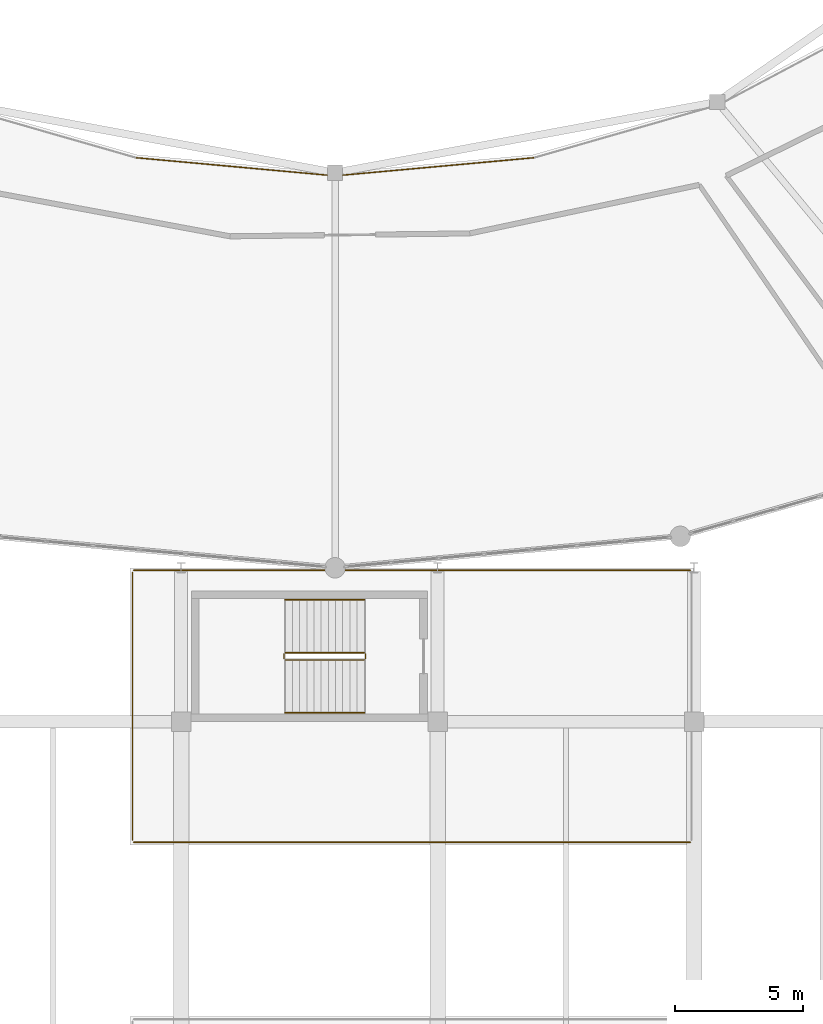
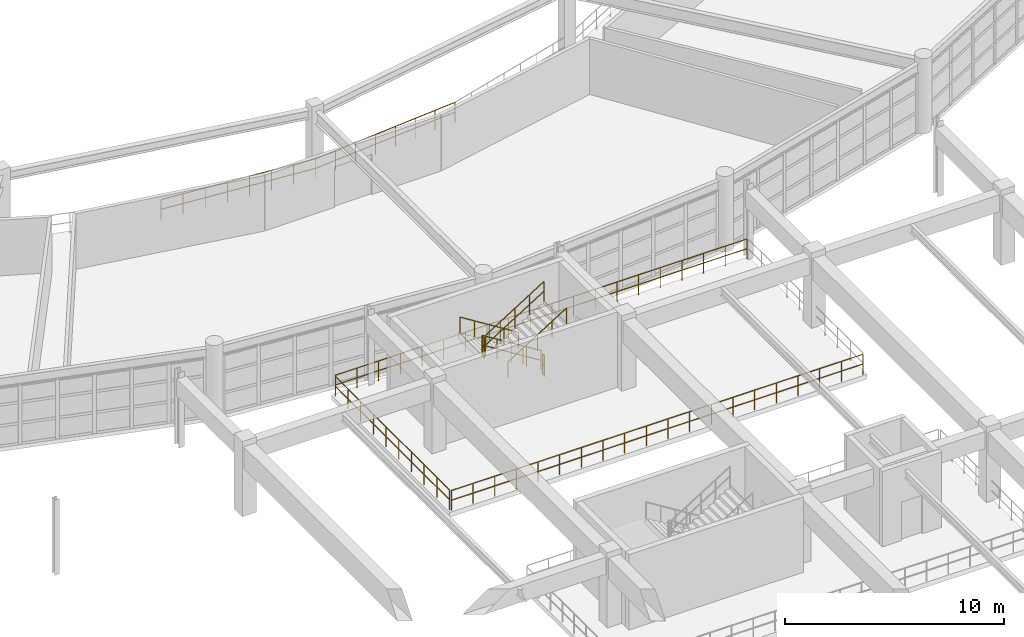
# One storey, part 88 of 100: 11 railings.
"""IFC4 building model written with IfcOpenShell, lengths in metres."""

from ifc_helpers import new_model, si_unit, direction, frame, origin, origin_2d, place, context, subcontext, project, spatial, circle, extrude, material, layer, layer_set, type_object, element, save


model = new_model("IFC4")

# Units and contexts
model_context = context("Model", 3, precision=1e-05, world=origin(), true_north=direction((0.0, 1.0)))
body_context = subcontext(model_context, "Body", "Model", "MODEL_VIEW")
ifc_project = project(units=[si_unit("LENGTHUNIT", "METRE"), si_unit("AREAUNIT", "SQUARE_METRE"), si_unit("VOLUMEUNIT", "CUBIC_METRE"), si_unit("PLANEANGLEUNIT", "RADIAN"), si_unit("MASSUNIT", "GRAM", prefix="KILO")], contexts=[model_context])

# Site, building, storey
site_placement = place(None, origin())
site = spatial("IfcSite", under=ifc_project, at=site_placement, CompositionType="ELEMENT")
building_placement = place(site_placement, origin())
building = spatial("IfcBuilding", under=site, at=building_placement, Name="Kivolera Central Railway Station", CompositionType="ELEMENT")
storey_placement = place(building_placement, frame((0.0, 0.0, 5.39990234375)))
storey = spatial("IfcBuildingStorey", under=building, at=storey_placement, Name="L01", CompositionType="ELEMENT", Elevation=5.39990234375)

# Railings
ifc_material = material(Name="Anodised aluminium", Category="aluminium")
ifc_layer_1 = layer(ifc_material, 0.048095703125, Name="Anodised aluminium")
ifc_layer_set_1 = layer_set([ifc_layer_1], Name="Anodised aluminium")
railing_type_1 = type_object("IfcRailingType", Name="RL-EXT-GUARD-1130", PredefinedType="GUARDRAIL", material=ifc_layer_set_1)
railing_1_placement = place(storey_placement, frame((56.14990234375, 43.300048828125, 0.0)))
element("IfcRailing", 1, at=railing_1_placement, inside=storey, type_object=railing_type_1, Name="L01 Protective Edge Guardrail POD3-S", PredefinedType="GUARDRAIL", context=body_context, shape_type="SweptSolid", body=[
    extrude(circle(Radius=0.02392578125, at=origin_2d()), frame((0.0, 0.0, 1.10595703125), z_axis=(1.0, 0.0, 0.0), x_axis=(0.0, 1.0, 0.0)), (0.0, 0.0, 1.0), 21.7001953125),
    extrude(circle(Radius=0.02392578125, at=origin_2d()), frame((0.0, 0.0, 0.56494140625), z_axis=(1.0, 0.0, 0.0), x_axis=(0.0, 1.0, 0.0)), (0.0, 0.0, 1.0), 21.7001953125),
    extrude(circle(Radius=0.02099609375, at=origin_2d()), origin(), (0.0, 0.0, 1.0), 1.081787109375),
    extrude(circle(Radius=0.02099609375, at=origin_2d()), frame((1.14208984375, 0.0, 0.0)), (0.0, 0.0, 1.0), 1.081787109375),
    extrude(circle(Radius=0.02099609375, at=origin_2d()), frame((2.2841796875, 0.0, 0.0)), (0.0, 0.0, 1.0), 1.081787109375),
    extrude(circle(Radius=0.02099609375, at=origin_2d()), frame((3.42626953125, 0.0, 0.0)), (0.0, 0.0, 1.0), 1.081787109375),
    extrude(circle(Radius=0.02099609375, at=origin_2d()), frame((4.568359375, 0.0, 0.0)), (0.0, 0.0, 1.0), 1.081787109375),
    extrude(circle(Radius=0.02099609375, at=origin_2d()), frame((5.710693359375, 0.0, 0.0)), (0.0, 0.0, 1.0), 1.081787109375),
    extrude(circle(Radius=0.02099609375, at=origin_2d()), frame((6.852783203125, 0.0, 0.0)), (0.0, 0.0, 1.0), 1.081787109375),
    extrude(circle(Radius=0.02099609375, at=origin_2d()), frame((7.994873046875, 0.0, 0.0)), (0.0, 0.0, 1.0), 1.081787109375),
    extrude(circle(Radius=0.02099609375, at=origin_2d()), frame((9.136962890625, 0.0, 0.0)), (0.0, 0.0, 1.0), 1.081787109375),
    extrude(circle(Radius=0.02099609375, at=origin_2d()), frame((10.279052734375, 0.0, 0.0)), (0.0, 0.0, 1.0), 1.081787109375),
    extrude(circle(Radius=0.02099609375, at=origin_2d()), frame((11.421142578125, 0.0, 0.0)), (0.0, 0.0, 1.0), 1.081787109375),
    extrude(circle(Radius=0.02099609375, at=origin_2d()), frame((12.563232421875, 0.0, 0.0)), (0.0, 0.0, 1.0), 1.081787109375),
    extrude(circle(Radius=0.02099609375, at=origin_2d()), frame((13.705322265625, 0.0, 0.0)), (0.0, 0.0, 1.0), 1.081787109375),
    extrude(circle(Radius=0.02099609375, at=origin_2d()), frame((14.847412109375, 0.0, 0.0)), (0.0, 0.0, 1.0), 1.081787109375),
    extrude(circle(Radius=0.02099609375, at=origin_2d()), frame((15.989501953125, 0.0, 0.0)), (0.0, 0.0, 1.0), 1.081787109375),
    extrude(circle(Radius=0.02099609375, at=origin_2d()), frame((17.1318359375, 0.0, 0.0)), (0.0, 0.0, 1.0), 1.081787109375),
    extrude(circle(Radius=0.02099609375, at=origin_2d()), frame((18.27392578125, 0.0, 0.0)), (0.0, 0.0, 1.0), 1.081787109375),
    extrude(circle(Radius=0.02099609375, at=origin_2d()), frame((19.416015625, 0.0, 0.0)), (0.0, 0.0, 1.0), 1.081787109375),
    extrude(circle(Radius=0.02099609375, at=origin_2d()), frame((20.55810546875, 0.0, 0.0)), (0.0, 0.0, 1.0), 1.081787109375),
    extrude(circle(Radius=0.02099609375, at=origin_2d()), frame((21.7001953125, 0.0, 0.0)), (0.0, 0.0, 1.0), 1.081787109375),
])
railing_2_placement = place(storey_placement, frame((56.14990234375, 53.89990234375, 0.0)))
element("IfcRailing", 2, at=railing_2_placement, inside=storey, type_object=railing_type_1, Name="L01 Protective Edge Guardrail POD3-N", PredefinedType="GUARDRAIL", context=body_context, shape_type="SweptSolid", body=[
    extrude(circle(Radius=0.02392578125, at=origin_2d()), frame((0.0, 0.0, 1.10595703125), z_axis=(1.0, 0.0, 0.0), x_axis=(0.0, 1.0, 0.0)), (0.0, 0.0, 1.0), 21.7001953125),
    extrude(circle(Radius=0.02392578125, at=origin_2d()), frame((0.0, 0.0, 0.56494140625), z_axis=(1.0, 0.0, 0.0), x_axis=(0.0, 1.0, 0.0)), (0.0, 0.0, 1.0), 21.7001953125),
    extrude(circle(Radius=0.02099609375, at=origin_2d()), origin(), (0.0, 0.0, 1.0), 1.081787109375),
    extrude(circle(Radius=0.02099609375, at=origin_2d()), frame((1.14208984375, 0.0, 0.0)), (0.0, 0.0, 1.0), 1.081787109375),
    extrude(circle(Radius=0.02099609375, at=origin_2d()), frame((2.2841796875, 0.0, 0.0)), (0.0, 0.0, 1.0), 1.081787109375),
    extrude(circle(Radius=0.02099609375, at=origin_2d()), frame((3.42626953125, 0.0, 0.0)), (0.0, 0.0, 1.0), 1.081787109375),
    extrude(circle(Radius=0.02099609375, at=origin_2d()), frame((4.568359375, 0.0, 0.0)), (0.0, 0.0, 1.0), 1.081787109375),
    extrude(circle(Radius=0.02099609375, at=origin_2d()), frame((5.710693359375, 0.0, 0.0)), (0.0, 0.0, 1.0), 1.081787109375),
    extrude(circle(Radius=0.02099609375, at=origin_2d()), frame((6.852783203125, 0.0, 0.0)), (0.0, 0.0, 1.0), 1.081787109375),
    extrude(circle(Radius=0.02099609375, at=origin_2d()), frame((7.994873046875, 0.0, 0.0)), (0.0, 0.0, 1.0), 1.081787109375),
    extrude(circle(Radius=0.02099609375, at=origin_2d()), frame((9.136962890625, 0.0, 0.0)), (0.0, 0.0, 1.0), 1.081787109375),
    extrude(circle(Radius=0.02099609375, at=origin_2d()), frame((10.279052734375, 0.0, 0.0)), (0.0, 0.0, 1.0), 1.081787109375),
    extrude(circle(Radius=0.02099609375, at=origin_2d()), frame((11.421142578125, 0.0, 0.0)), (0.0, 0.0, 1.0), 1.081787109375),
    extrude(circle(Radius=0.02099609375, at=origin_2d()), frame((12.563232421875, 0.0, 0.0)), (0.0, 0.0, 1.0), 1.081787109375),
    extrude(circle(Radius=0.02099609375, at=origin_2d()), frame((13.705322265625, 0.0, 0.0)), (0.0, 0.0, 1.0), 1.081787109375),
    extrude(circle(Radius=0.02099609375, at=origin_2d()), frame((14.847412109375, 0.0, 0.0)), (0.0, 0.0, 1.0), 1.081787109375),
    extrude(circle(Radius=0.02099609375, at=origin_2d()), frame((15.989501953125, 0.0, 0.0)), (0.0, 0.0, 1.0), 1.081787109375),
    extrude(circle(Radius=0.02099609375, at=origin_2d()), frame((17.1318359375, 0.0, 0.0)), (0.0, 0.0, 1.0), 1.081787109375),
    extrude(circle(Radius=0.02099609375, at=origin_2d()), frame((18.27392578125, 0.0, 0.0)), (0.0, 0.0, 1.0), 1.081787109375),
    extrude(circle(Radius=0.02099609375, at=origin_2d()), frame((19.416015625, 0.0, 0.0)), (0.0, 0.0, 1.0), 1.081787109375),
    extrude(circle(Radius=0.02099609375, at=origin_2d()), frame((20.55810546875, 0.0, 0.0)), (0.0, 0.0, 1.0), 1.081787109375),
    extrude(circle(Radius=0.02099609375, at=origin_2d()), frame((21.7001953125, 0.0, 0.0)), (0.0, 0.0, 1.0), 1.081787109375),
])
railing_3_placement = place(storey_placement, frame((56.10009765625, 43.3798828125, 0.0)))
element("IfcRailing", 3, at=railing_3_placement, inside=storey, type_object=railing_type_1, Name="L01 Protective Edge Guardrail POD3-W", PredefinedType="GUARDRAIL", context=body_context, shape_type="SweptSolid", body=[
    extrude(circle(Radius=0.02392578125, at=origin_2d()), frame((0.0, 0.0, 1.10595703125), z_axis=(0.0, 1.0, 0.0), x_axis=(-1.0, 0.0, 0.0)), (0.0, 0.0, 1.0), 10.440185546875),
    extrude(circle(Radius=0.02392578125, at=origin_2d()), frame((0.0, 0.0, 0.56494140625), z_axis=(0.0, 1.0, 0.0), x_axis=(-1.0, 0.0, 0.0)), (0.0, 0.0, 1.0), 10.440185546875),
    extrude(circle(Radius=0.02099609375, at=origin_2d()), origin(), (0.0, 0.0, 1.0), 1.081787109375),
    extrude(circle(Radius=0.02099609375, at=origin_2d()), frame((0.0, 1.159912109375, 0.0)), (0.0, 0.0, 1.0), 1.081787109375),
    extrude(circle(Radius=0.02099609375, at=origin_2d()), frame((0.0, 2.320068359375, 0.0)), (0.0, 0.0, 1.0), 1.081787109375),
    extrude(circle(Radius=0.02099609375, at=origin_2d()), frame((0.0, 3.47998046875, 0.0)), (0.0, 0.0, 1.0), 1.081787109375),
    extrude(circle(Radius=0.02099609375, at=origin_2d()), frame((0.0, 4.64013671875, 0.0)), (0.0, 0.0, 1.0), 1.081787109375),
    extrude(circle(Radius=0.02099609375, at=origin_2d()), frame((0.0, 5.800048828125, 0.0)), (0.0, 0.0, 1.0), 1.081787109375),
    extrude(circle(Radius=0.02099609375, at=origin_2d()), frame((0.0, 6.960205078125, 0.0)), (0.0, 0.0, 1.0), 1.081787109375),
    extrude(circle(Radius=0.02099609375, at=origin_2d()), frame((0.0, 8.1201171875, 0.0)), (0.0, 0.0, 1.0), 1.081787109375),
    extrude(circle(Radius=0.02099609375, at=origin_2d()), frame((0.0, 9.2802734375, 0.0)), (0.0, 0.0, 1.0), 1.081787109375),
    extrude(circle(Radius=0.02099609375, at=origin_2d()), frame((0.0, 10.440185546875, 0.0)), (0.0, 0.0, 1.0), 1.081787109375),
])
ifc_layer_2 = layer(ifc_material, 0.048095703125, Name="Anodised aluminium")
ifc_layer_set_2 = layer_set([ifc_layer_2], Name="Anodised aluminium")
railing_type_2 = type_object("IfcRailingType", Name="RL-INT-BAL-1130", PredefinedType="BALUSTRADE", material=ifc_layer_set_2)
railing_4_placement = place(storey_placement, frame((56.248046875, 69.986083984375, 0.0)))
element("IfcRailing", 4, at=railing_4_placement, inside=storey, type_object=railing_type_2, Name="L01 Concourse Gallery Balustrade 18", PredefinedType="BALUSTRADE", context=body_context, shape_type="SweptSolid", body=[
    extrude(circle(Radius=0.02392578125, at=origin_2d()), frame((0.0, 0.0, 1.10595703125), z_axis=(0.995877766971, -0.090705420197, 0.0), x_axis=(0.090705420197, 0.995877766971, 0.0)), (0.0, 0.0, 1.0), 7.783935546875),
    extrude(circle(Radius=0.02392578125, at=origin_2d()), frame((0.0, 0.0, 0.56494140625), z_axis=(0.995877766971, -0.090705420197, 0.0), x_axis=(0.090705420197, 0.995877766971, 0.0)), (0.0, 0.0, 1.0), 7.783935546875),
    extrude(circle(Radius=0.02099609375, at=origin_2d()), origin(), (0.0, 0.0, 1.0), 1.081787109375),
    extrude(circle(Radius=0.02099609375, at=origin_2d()), frame((1.107421875, -0.100830078125, 0.0)), (0.0, 0.0, 1.0), 1.081787109375),
    extrude(circle(Radius=0.02099609375, at=origin_2d()), frame((2.21484375, -0.20166015625, 0.0)), (0.0, 0.0, 1.0), 1.081787109375),
    extrude(circle(Radius=0.02099609375, at=origin_2d()), frame((3.322265625, -0.302490234375, 0.0)), (0.0, 0.0, 1.0), 1.081787109375),
    extrude(circle(Radius=0.02099609375, at=origin_2d()), frame((4.4296875, -0.403564453125, 0.0)), (0.0, 0.0, 1.0), 1.081787109375),
    extrude(circle(Radius=0.02099609375, at=origin_2d()), frame((5.537109375, -0.50439453125, 0.0)), (0.0, 0.0, 1.0), 1.081787109375),
    extrude(circle(Radius=0.02099609375, at=origin_2d()), frame((6.64453125, -0.605224609375, 0.0)), (0.0, 0.0, 1.0), 1.081787109375),
    extrude(circle(Radius=0.02099609375, at=origin_2d()), frame((7.751953125, -0.7060546875, 0.0)), (0.0, 0.0, 1.0), 1.081787109375),
])
railing_5_placement = place(storey_placement, frame((64.0, 69.280029296875, 0.0)))
element("IfcRailing", 5, at=railing_5_placement, inside=storey, type_object=railing_type_2, Name="L01 Concourse Gallery Balustrade 19", PredefinedType="BALUSTRADE", context=body_context, shape_type="SweptSolid", body=[
    extrude(circle(Radius=0.02392578125, at=origin_2d()), frame((0.0, 0.0, 1.10595703125), z_axis=(0.995877766971, 0.090705420197, 0.0), x_axis=(-0.090705420197, 0.995877766971, 0.0)), (0.0, 0.0, 1.0), 7.783935546875),
    extrude(circle(Radius=0.02392578125, at=origin_2d()), frame((0.0, 0.0, 0.56494140625), z_axis=(0.995877766971, 0.090705420197, 0.0), x_axis=(-0.090705420197, 0.995877766971, 0.0)), (0.0, 0.0, 1.0), 7.783935546875),
    extrude(circle(Radius=0.02099609375, at=origin_2d()), origin(), (0.0, 0.0, 1.0), 1.081787109375),
    extrude(circle(Radius=0.02099609375, at=origin_2d()), frame((1.107421875, 0.100830078125, 0.0)), (0.0, 0.0, 1.0), 1.081787109375),
    extrude(circle(Radius=0.02099609375, at=origin_2d()), frame((2.21484375, 0.20166015625, 0.0)), (0.0, 0.0, 1.0), 1.081787109375),
    extrude(circle(Radius=0.02099609375, at=origin_2d()), frame((3.322265625, 0.302490234375, 0.0)), (0.0, 0.0, 1.0), 1.081787109375),
    extrude(circle(Radius=0.02099609375, at=origin_2d()), frame((4.4296875, 0.403564453125, 0.0)), (0.0, 0.0, 1.0), 1.081787109375),
    extrude(circle(Radius=0.02099609375, at=origin_2d()), frame((5.537109375, 0.50439453125, 0.0)), (0.0, 0.0, 1.0), 1.081787109375),
    extrude(circle(Radius=0.02099609375, at=origin_2d()), frame((6.64453125, 0.605224609375, 0.0)), (0.0, 0.0, 1.0), 1.081787109375),
    extrude(circle(Radius=0.02099609375, at=origin_2d()), frame((7.751953125, 0.7060546875, 0.0)), (0.0, 0.0, 1.0), 1.081787109375),
])
ifc_layer_3 = layer(ifc_material, 0.048095703125, Name="Anodised aluminium")
ifc_layer_set_3 = layer_set([ifc_layer_3], Name="Anodised aluminium")
railing_type_3 = type_object("IfcRailingType", Name="RL-STAIR-GUARD", PredefinedType="GUARDRAIL", material=ifc_layer_set_3)
railing_6_placement = place(storey_placement, frame((65.139892578125, 50.68994140625, 0.175048828125)))
element("IfcRailing", 6, at=railing_6_placement, inside=storey, type_object=railing_type_3, Name="L01 ST8 stair guard 1", PredefinedType="GUARDRAIL", context=body_context, shape_type="SweptSolid", body=[
    extrude(circle(Radius=0.02392578125, at=origin_2d()), frame((0.0, 0.0, 1.10595703125), z_axis=(-0.847979421464, 0.0, 0.530029150871), x_axis=(0.0, -1.0, 0.0)), (0.0, 0.0, 1.0), 3.632080078125),
    extrude(circle(Radius=0.02392578125, at=origin_2d()), frame((0.0, 0.0, 0.56494140625), z_axis=(-0.847979421464, 0.0, 0.530029150871), x_axis=(0.0, -1.0, 0.0)), (0.0, 0.0, 1.0), 3.632080078125),
    extrude(circle(Radius=0.02099609375, at=origin_2d()), origin(), (0.0, 0.0, 1.0), 1.081787109375),
    extrude(circle(Radius=0.02099609375, at=origin_2d()), frame((-0.77001953125, 0.0, 0.481201171875)), (0.0, 0.0, 1.0), 1.081787109375),
    extrude(circle(Radius=0.02099609375, at=origin_2d()), frame((-1.5400390625, 0.0, 0.96240234375)), (0.0, 0.0, 1.0), 1.081787109375),
    extrude(circle(Radius=0.02099609375, at=origin_2d()), frame((-2.309814453125, 0.0, 1.44384765625)), (0.0, 0.0, 1.0), 1.081787109375),
    extrude(circle(Radius=0.02099609375, at=origin_2d()), frame((-3.079833984375, 0.0, 1.925048828125)), (0.0, 0.0, 1.0), 1.081787109375),
])
railing_7_placement = place(storey_placement, frame((62.010009765625, 50.639892578125, 2.10009765625)))
element("IfcRailing", 7, at=railing_7_placement, inside=storey, type_object=railing_type_3, Name="L01 ST8 stair guard 2", PredefinedType="GUARDRAIL", context=body_context, shape_type="SweptSolid", body=[
    extrude(circle(Radius=0.02392578125, at=origin_2d()), frame((0.0, 0.0, 1.10595703125), z_axis=(0.0, -1.0, 0.0), x_axis=(1.0, 0.0, 0.0)), (0.0, 0.0, 1.0), 0.179931640625),
    extrude(circle(Radius=0.02392578125, at=origin_2d()), frame((0.0, 0.0, 0.56494140625), z_axis=(0.0, -1.0, 0.0), x_axis=(1.0, 0.0, 0.0)), (0.0, 0.0, 1.0), 0.179931640625),
    extrude(circle(Radius=0.02099609375, at=origin_2d()), origin(), (0.0, 0.0, 1.0), 1.081787109375),
    extrude(circle(Radius=0.02099609375, at=origin_2d()), frame((0.0, -0.179931640625, 0.0)), (0.0, 0.0, 1.0), 1.081787109375),
])
railing_8_placement = place(storey_placement, frame((62.06005859375, 50.409912109375, 2.275146484375)))
element("IfcRailing", 8, at=railing_8_placement, inside=storey, type_object=railing_type_3, Name="L01 ST8 stair guard 3", PredefinedType="GUARDRAIL", context=body_context, shape_type="SweptSolid", body=[
    extrude(circle(Radius=0.02392578125, at=origin_2d()), frame((0.0, 0.0, 1.10595703125), z_axis=(0.847979421464, 0.0, 0.530029150871), x_axis=(0.0, 1.0, 0.0)), (0.0, 0.0, 1.0), 3.632080078125),
    extrude(circle(Radius=0.02392578125, at=origin_2d()), frame((0.0, 0.0, 0.56494140625), z_axis=(0.847979421464, 0.0, 0.530029150871), x_axis=(0.0, 1.0, 0.0)), (0.0, 0.0, 1.0), 3.632080078125),
    extrude(circle(Radius=0.02099609375, at=origin_2d()), origin(), (0.0, 0.0, 1.0), 1.081787109375),
    extrude(circle(Radius=0.02099609375, at=origin_2d()), frame((0.77001953125, 0.0, 0.481201171875)), (0.0, 0.0, 1.0), 1.081787109375),
    extrude(circle(Radius=0.02099609375, at=origin_2d()), frame((1.5400390625, 0.0, 0.96240234375)), (0.0, 0.0, 1.0), 1.081787109375),
    extrude(circle(Radius=0.02099609375, at=origin_2d()), frame((2.309814453125, 0.0, 1.44384765625)), (0.0, 0.0, 1.0), 1.081787109375),
    extrude(circle(Radius=0.02099609375, at=origin_2d()), frame((3.079833984375, 0.0, 1.925048828125)), (0.0, 0.0, 1.0), 1.081787109375),
])
railing_9_placement = place(storey_placement, frame((65.18994140625, 50.639892578125, 0.0)))
element("IfcRailing", 9, at=railing_9_placement, inside=storey, type_object=railing_type_3, Name="L01 ST8 stair guard 4", PredefinedType="GUARDRAIL", context=body_context, shape_type="SweptSolid", body=[
    extrude(circle(Radius=0.02392578125, at=origin_2d()), frame((0.0, 0.0, 1.10595703125), z_axis=(0.0, -1.0, 0.0), x_axis=(1.0, 0.0, 0.0)), (0.0, 0.0, 1.0), 0.179931640625),
    extrude(circle(Radius=0.02392578125, at=origin_2d()), frame((0.0, 0.0, 0.56494140625), z_axis=(0.0, -1.0, 0.0), x_axis=(1.0, 0.0, 0.0)), (0.0, 0.0, 1.0), 0.179931640625),
    extrude(circle(Radius=0.02099609375, at=origin_2d()), origin(), (0.0, 0.0, 1.0), 1.081787109375),
    extrude(circle(Radius=0.02099609375, at=origin_2d()), frame((0.0, -0.179931640625, 0.0)), (0.0, 0.0, 1.0), 1.081787109375),
])
ifc_layer_4 = layer(ifc_material, 0.048095703125, Name="Anodised aluminium")
ifc_layer_set_4 = layer_set([ifc_layer_4], Name="Anodised aluminium")
railing_type_4 = type_object("IfcRailingType", Name="RL-STAIR-HAND", PredefinedType="HANDRAIL", material=ifc_layer_set_4)
railing_10_placement = place(storey_placement, frame((65.139892578125, 52.75, 0.175048828125)))
element("IfcRailing", 10, at=railing_10_placement, inside=storey, type_object=railing_type_4, Name="L01 ST8 stair handrail 1", PredefinedType="HANDRAIL", context=body_context, shape_type="SweptSolid", body=[
    extrude(circle(Radius=0.02392578125, at=origin_2d()), frame((0.0, 0.0, 0.8759765625), z_axis=(-0.847979421464, 0.0, 0.530029150871), x_axis=(0.0, -1.0, 0.0)), (0.0, 0.0, 1.0), 3.632080078125),
    extrude(circle(Radius=0.02099609375, at=origin_2d()), origin(), (0.0, 0.0, 1.0), 0.851806640625),
    extrude(circle(Radius=0.02099609375, at=origin_2d()), frame((-0.77001953125, 0.0, 0.481201171875)), (0.0, 0.0, 1.0), 0.851806640625),
    extrude(circle(Radius=0.02099609375, at=origin_2d()), frame((-1.5400390625, 0.0, 0.96240234375)), (0.0, 0.0, 1.0), 0.851806640625),
    extrude(circle(Radius=0.02099609375, at=origin_2d()), frame((-2.309814453125, 0.0, 1.44384765625)), (0.0, 0.0, 1.0), 0.851806640625),
    extrude(circle(Radius=0.02099609375, at=origin_2d()), frame((-3.079833984375, 0.0, 1.925048828125)), (0.0, 0.0, 1.0), 0.851806640625),
])
railing_11_placement = place(storey_placement, frame((62.06005859375, 48.35009765625, 2.275146484375)))
element("IfcRailing", 11, at=railing_11_placement, inside=storey, type_object=railing_type_4, Name="L01 ST8 stair handrail 2", PredefinedType="HANDRAIL", context=body_context, shape_type="SweptSolid", body=[
    extrude(circle(Radius=0.02392578125, at=origin_2d()), frame((0.0, 0.0, 0.8759765625), z_axis=(0.847979421464, 0.0, 0.530029150871), x_axis=(0.0, 1.0, 0.0)), (0.0, 0.0, 1.0), 3.632080078125),
    extrude(circle(Radius=0.02099609375, at=origin_2d()), origin(), (0.0, 0.0, 1.0), 0.851806640625),
    extrude(circle(Radius=0.02099609375, at=origin_2d()), frame((0.77001953125, 0.0, 0.481201171875)), (0.0, 0.0, 1.0), 0.851806640625),
    extrude(circle(Radius=0.02099609375, at=origin_2d()), frame((1.5400390625, 0.0, 0.96240234375)), (0.0, 0.0, 1.0), 0.851806640625),
    extrude(circle(Radius=0.02099609375, at=origin_2d()), frame((2.309814453125, 0.0, 1.44384765625)), (0.0, 0.0, 1.0), 0.851806640625),
    extrude(circle(Radius=0.02099609375, at=origin_2d()), frame((3.079833984375, 0.0, 1.925048828125)), (0.0, 0.0, 1.0), 0.851806640625),
])

save(model, "model.ifc")
